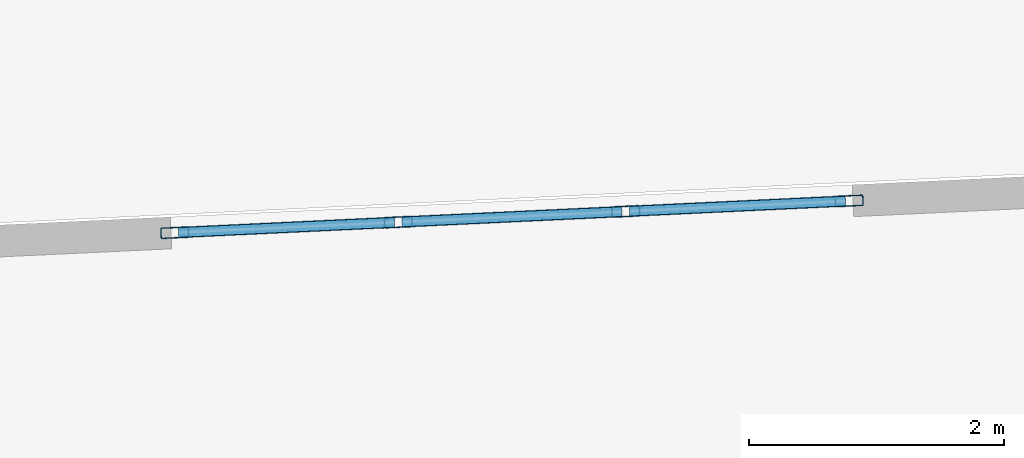
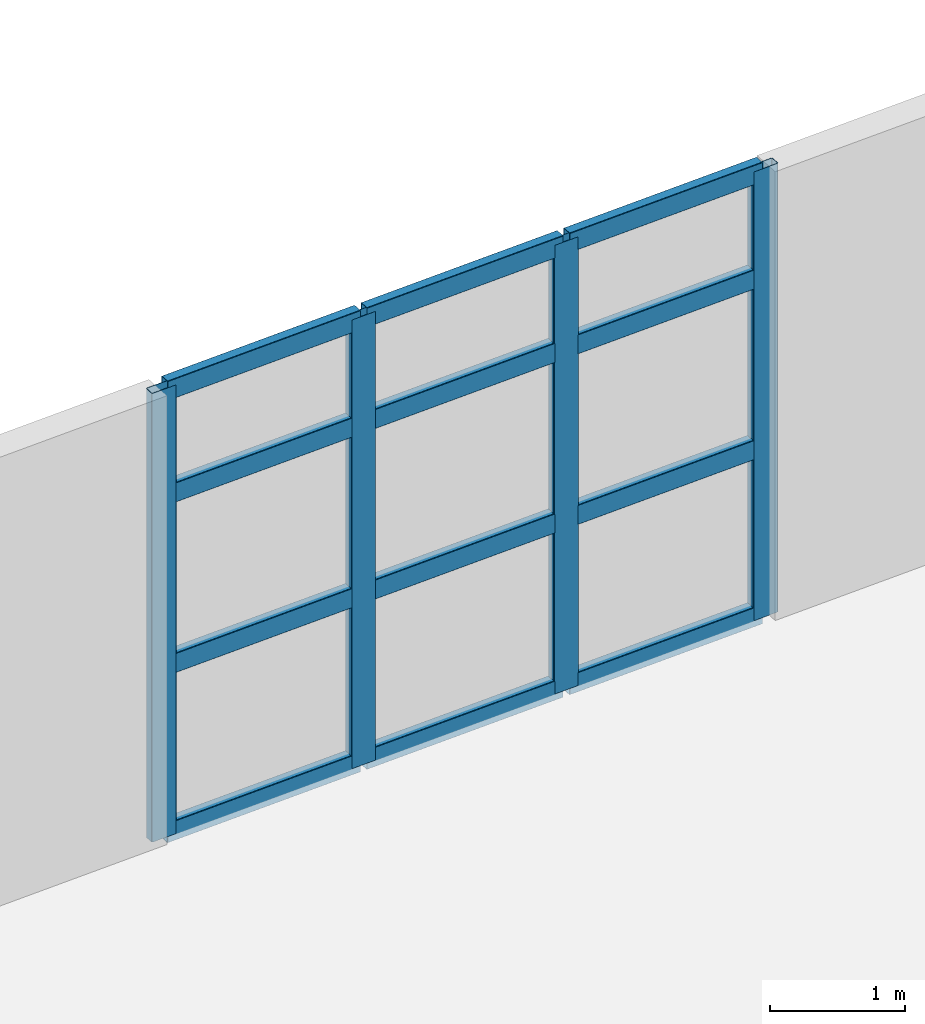
# One storey, part 9 of 22: 16 members, 1 element without a shape of its own.
"""IFC4 building model written with IfcOpenShell, lengths in metres."""

from ifc_helpers import new_model, si_unit, direction, frame, origin, origin_2d, place, context, subcontext, project, spatial, hollow_rectangle, extrude, material, layer, layer_set, material_profile, profile_set, type_object, element, aggregate, save


model = new_model("IFC4")

# Units and contexts
model_context = context("Model", 3, precision=1e-05, world=origin(), true_north=direction((0.0, 1.0)))
body_context = subcontext(model_context, "Body", "Model", "MODEL_VIEW")
ifc_project = project(units=[si_unit("LENGTHUNIT", "METRE"), si_unit("AREAUNIT", "SQUARE_METRE"), si_unit("VOLUMEUNIT", "CUBIC_METRE"), si_unit("PLANEANGLEUNIT", "RADIAN"), si_unit("MASSUNIT", "GRAM", prefix="KILO")], contexts=[model_context])

# Site, building, storey
site_placement = place(None, origin())
site = spatial("IfcSite", under=ifc_project, at=site_placement, CompositionType="ELEMENT")
building_placement = place(site_placement, origin())
building = spatial("IfcBuilding", under=site, at=building_placement, Name="Qingluan Cross Belvedere", CompositionType="ELEMENT")
storey_placement = place(building_placement, frame((0.0, 0.0, 294.0)))
storey = spatial("IfcBuildingStorey", under=building, at=storey_placement, Name="L73", CompositionType="ELEMENT", Elevation=294.0)

# Curtain wall, members
ifc_material_1 = material(Name="Thermally broken aluminium and Low-E glass", Category="aluminium")
ifc_layer = layer(ifc_material_1, 0.179931640625, Name="ObservationCW_DamperGallery")
ifc_layer_set = layer_set([ifc_layer], Name="Thermally broken aluminium and Low-E glass")
curtain_wall_type = type_object("IfcCurtainWallType", Name="ObservationCW_DamperGallery", PredefinedType="USERDEFINED", material=ifc_layer_set)
curtain_wall_placement = place(storey_placement, origin())
curtain_wall = element("IfcCurtainWall", 1, at=curtain_wall_placement, inside=storey, type_object=curtain_wall_type, Name="ObservationCW_DamperGallery run env:cw:L73:N", ObjectType="OBSERVATION GLAZING WALL", PredefinedType="USERDEFINED")
ifc_material_2 = material(Name="Aluminium alloy 6063-T6", Category="aluminium")
ifc_material_profile_1 = material_profile(ifc_material_2, hollow_rectangle(XDim=0.0849609375, YDim=0.219970703125, WallThickness=0.0048828125, InnerFilletRadius=0.0048828125, OuterFilletRadius=0.010009765625, at=origin_2d()), Name="CWM220x85x5")
ifc_profile_set_1 = profile_set([ifc_material_profile_1], Name="Aluminium alloy 6063-T6")
member_type_1 = type_object("IfcMemberType", Name="CWMullion_220", PredefinedType="MULLION", material=ifc_profile_set_1)
member_1_placement = place(storey_placement, frame((1.345947265625, 27.674072265625, 0.0), z_axis=(0.0, 0.0, 1.0), x_axis=(0.047125155464, -0.998888992693, 0.0)))
member_1 = element("IfcMember", 2, at=member_1_placement, type_object=member_type_1, Name="CW-C1 mullion 1", PredefinedType="MULLION", context=body_context, shape_type="SweptSolid", body=[
    extrude(hollow_rectangle(XDim=0.0849609375, YDim=0.219970703125, WallThickness=0.0048828125, InnerFilletRadius=0.0048828125, OuterFilletRadius=0.010009765625, at=origin_2d()), origin(), (0.0, 0.0, 1.0), 4.06005859375),
])
member_2_placement = place(storey_placement, frame((-0.407470703125, 27.591552734375, 0.0), z_axis=(0.0, 0.0, 1.0), x_axis=(0.047125155464, -0.998888992693, 0.0)))
member_2 = element("IfcMember", 3, at=member_2_placement, type_object=member_type_1, Name="CW-C1 mullion 2", PredefinedType="MULLION", context=body_context, shape_type="SweptSolid", body=[
    extrude(hollow_rectangle(XDim=0.0849609375, YDim=0.219970703125, WallThickness=0.0048828125, InnerFilletRadius=0.0048828125, OuterFilletRadius=0.010009765625, at=origin_2d()), origin(), (0.0, 0.0, 1.0), 4.06005859375),
])
member_3_placement = place(storey_placement, frame((-2.19091796875, 27.50732421875, 0.0), z_axis=(0.0, 0.0, 1.0), x_axis=(0.047125155464, -0.998888992693, 0.0)))
member_3 = element("IfcMember", 4, at=member_3_placement, type_object=member_type_1, Name="CW-C1 mullion 3", PredefinedType="MULLION", context=body_context, shape_type="SweptSolid", body=[
    extrude(hollow_rectangle(XDim=0.0849609375, YDim=0.219970703125, WallThickness=0.0048828125, InnerFilletRadius=0.0048828125, OuterFilletRadius=0.010009765625, at=origin_2d()), origin(), (0.0, 0.0, 1.0), 4.06005859375),
])
member_4_placement = place(storey_placement, frame((-3.9443359375, 27.424560546875, 0.0), z_axis=(0.0, 0.0, 1.0), x_axis=(0.047125155464, -0.998888992693, 0.0)))
member_4 = element("IfcMember", 5, at=member_4_placement, type_object=member_type_1, Name="CW-C1 mullion 4", PredefinedType="MULLION", context=body_context, shape_type="SweptSolid", body=[
    extrude(hollow_rectangle(XDim=0.0849609375, YDim=0.219970703125, WallThickness=0.0048828125, InnerFilletRadius=0.0048828125, OuterFilletRadius=0.010009765625, at=origin_2d()), origin(), (0.0, 0.0, 1.0), 4.06005859375),
])
ifc_material_3 = material(Name="Aluminium alloy 6063-T6", Category="aluminium")
ifc_material_profile_2 = material_profile(ifc_material_3, hollow_rectangle(XDim=0.0849609375, YDim=0.179931640625, WallThickness=0.00390625, InnerFilletRadius=0.00390625, OuterFilletRadius=0.008056640625, at=origin_2d()), Name="CWT180x85x4")
ifc_profile_set_2 = profile_set([ifc_material_profile_2], Name="Aluminium alloy 6063-T6")
member_type_2 = type_object("IfcMemberType", Name="CWTransom_180", PredefinedType="USERDEFINED", material=ifc_profile_set_2)
member_5_placement = place(storey_placement, frame((1.31591796875, 27.6728515625, 0.030029296875), z_axis=(-0.998884044571, -0.047229921669, 0.0), x_axis=(0.047229921669, -0.998884044571, 0.0)))
member_5 = element("IfcMember", 6, at=member_5_placement, type_object=member_type_2, Name="CW-C1 transom 1.1", ObjectType="TRANSOM", PredefinedType="USERDEFINED", context=body_context, shape_type="SweptSolid", body=[
    extrude(hollow_rectangle(XDim=0.0849609375, YDim=0.179931640625, WallThickness=0.00390625, InnerFilletRadius=0.00390625, OuterFilletRadius=0.008056640625, at=origin_2d()), origin(), (0.0, 0.0, 1.0), 1.695556640625),
])
member_6_placement = place(storey_placement, frame((1.31591796875, 27.6728515625, 1.54296875), z_axis=(-0.998884044571, -0.047229921669, 0.0), x_axis=(0.047229921669, -0.998884044571, 0.0)))
member_6 = element("IfcMember", 7, at=member_6_placement, type_object=member_type_2, Name="CW-C1 transom 1.2", ObjectType="TRANSOM", PredefinedType="USERDEFINED", context=body_context, shape_type="SweptSolid", body=[
    extrude(hollow_rectangle(XDim=0.0849609375, YDim=0.179931640625, WallThickness=0.00390625, InnerFilletRadius=0.00390625, OuterFilletRadius=0.008056640625, at=origin_2d()), origin(), (0.0, 0.0, 1.0), 1.695556640625),
])
member_7_placement = place(storey_placement, frame((1.31591796875, 27.6728515625, 3.0859375), z_axis=(-0.998884044571, -0.047229921669, 0.0), x_axis=(0.047229921669, -0.998884044571, 0.0)))
member_7 = element("IfcMember", 8, at=member_7_placement, type_object=member_type_2, Name="CW-C1 transom 1.3", ObjectType="TRANSOM", PredefinedType="USERDEFINED", context=body_context, shape_type="SweptSolid", body=[
    extrude(hollow_rectangle(XDim=0.0849609375, YDim=0.179931640625, WallThickness=0.00390625, InnerFilletRadius=0.00390625, OuterFilletRadius=0.008056640625, at=origin_2d()), origin(), (0.0, 0.0, 1.0), 1.695556640625),
])
member_8_placement = place(storey_placement, frame((1.31591796875, 27.6728515625, 4.030029296875), z_axis=(-0.998884044571, -0.047229921669, 0.0), x_axis=(0.047229921669, -0.998884044571, 0.0)))
member_8 = element("IfcMember", 9, at=member_8_placement, type_object=member_type_2, Name="CW-C1 transom 1.4", ObjectType="TRANSOM", PredefinedType="USERDEFINED", context=body_context, shape_type="SweptSolid", body=[
    extrude(hollow_rectangle(XDim=0.0849609375, YDim=0.179931640625, WallThickness=0.00390625, InnerFilletRadius=0.00390625, OuterFilletRadius=0.008056640625, at=origin_2d()), origin(), (0.0, 0.0, 1.0), 1.695556640625),
])
member_9_placement = place(storey_placement, frame((-0.4375, 27.590087890625, 0.030029296875), z_axis=(-0.998889168986, -0.047121418511, 0.0), x_axis=(0.047121418511, -0.998889168986, 0.0)))
member_9 = element("IfcMember", 10, at=member_9_placement, type_object=member_type_2, Name="CW-C1 transom 2.1", ObjectType="TRANSOM", PredefinedType="USERDEFINED", context=body_context, shape_type="SweptSolid", body=[
    extrude(hollow_rectangle(XDim=0.0849609375, YDim=0.179931640625, WallThickness=0.00390625, InnerFilletRadius=0.00390625, OuterFilletRadius=0.008056640625, at=origin_2d()), origin(), (0.0, 0.0, 1.0), 1.725341796875),
])
member_10_placement = place(storey_placement, frame((-0.4375, 27.590087890625, 1.54296875), z_axis=(-0.998889168986, -0.047121418511, 0.0), x_axis=(0.047121418511, -0.998889168986, 0.0)))
member_10 = element("IfcMember", 11, at=member_10_placement, type_object=member_type_2, Name="CW-C1 transom 2.2", ObjectType="TRANSOM", PredefinedType="USERDEFINED", context=body_context, shape_type="SweptSolid", body=[
    extrude(hollow_rectangle(XDim=0.0849609375, YDim=0.179931640625, WallThickness=0.00390625, InnerFilletRadius=0.00390625, OuterFilletRadius=0.008056640625, at=origin_2d()), origin(), (0.0, 0.0, 1.0), 1.725341796875),
])
member_11_placement = place(storey_placement, frame((-0.4375, 27.590087890625, 3.0859375), z_axis=(-0.998889168986, -0.047121418511, 0.0), x_axis=(0.047121418511, -0.998889168986, 0.0)))
member_11 = element("IfcMember", 12, at=member_11_placement, type_object=member_type_2, Name="CW-C1 transom 2.3", ObjectType="TRANSOM", PredefinedType="USERDEFINED", context=body_context, shape_type="SweptSolid", body=[
    extrude(hollow_rectangle(XDim=0.0849609375, YDim=0.179931640625, WallThickness=0.00390625, InnerFilletRadius=0.00390625, OuterFilletRadius=0.008056640625, at=origin_2d()), origin(), (0.0, 0.0, 1.0), 1.725341796875),
])
member_12_placement = place(storey_placement, frame((-0.4375, 27.590087890625, 4.030029296875), z_axis=(-0.998889168986, -0.047121418511, 0.0), x_axis=(0.047121418511, -0.998889168986, 0.0)))
member_12 = element("IfcMember", 13, at=member_12_placement, type_object=member_type_2, Name="CW-C1 transom 2.4", ObjectType="TRANSOM", PredefinedType="USERDEFINED", context=body_context, shape_type="SweptSolid", body=[
    extrude(hollow_rectangle(XDim=0.0849609375, YDim=0.179931640625, WallThickness=0.00390625, InnerFilletRadius=0.00390625, OuterFilletRadius=0.008056640625, at=origin_2d()), origin(), (0.0, 0.0, 1.0), 1.725341796875),
])
member_13_placement = place(storey_placement, frame((-2.220947265625, 27.505859375, 0.030029296875), z_axis=(-0.998890508183, -0.047093021363, 0.0), x_axis=(0.047093021363, -0.998890508183, 0.0)))
member_13 = element("IfcMember", 14, at=member_13_placement, type_object=member_type_2, Name="CW-C1 transom 3.1", ObjectType="TRANSOM", PredefinedType="USERDEFINED", context=body_context, shape_type="SweptSolid", body=[
    extrude(hollow_rectangle(XDim=0.0849609375, YDim=0.179931640625, WallThickness=0.00390625, InnerFilletRadius=0.00390625, OuterFilletRadius=0.008056640625, at=origin_2d()), origin(), (0.0, 0.0, 1.0), 1.6953125),
])
member_14_placement = place(storey_placement, frame((-2.220947265625, 27.505859375, 1.54296875), z_axis=(-0.998890508183, -0.047093021363, 0.0), x_axis=(0.047093021363, -0.998890508183, 0.0)))
member_14 = element("IfcMember", 15, at=member_14_placement, type_object=member_type_2, Name="CW-C1 transom 3.2", ObjectType="TRANSOM", PredefinedType="USERDEFINED", context=body_context, shape_type="SweptSolid", body=[
    extrude(hollow_rectangle(XDim=0.0849609375, YDim=0.179931640625, WallThickness=0.00390625, InnerFilletRadius=0.00390625, OuterFilletRadius=0.008056640625, at=origin_2d()), origin(), (0.0, 0.0, 1.0), 1.6953125),
])
member_15_placement = place(storey_placement, frame((-2.220947265625, 27.505859375, 3.0859375), z_axis=(-0.998890508183, -0.047093021363, 0.0), x_axis=(0.047093021363, -0.998890508183, 0.0)))
member_15 = element("IfcMember", 16, at=member_15_placement, type_object=member_type_2, Name="CW-C1 transom 3.3", ObjectType="TRANSOM", PredefinedType="USERDEFINED", context=body_context, shape_type="SweptSolid", body=[
    extrude(hollow_rectangle(XDim=0.0849609375, YDim=0.179931640625, WallThickness=0.00390625, InnerFilletRadius=0.00390625, OuterFilletRadius=0.008056640625, at=origin_2d()), origin(), (0.0, 0.0, 1.0), 1.6953125),
])
member_16_placement = place(storey_placement, frame((-2.220947265625, 27.505859375, 4.030029296875), z_axis=(-0.998890508183, -0.047093021363, 0.0), x_axis=(0.047093021363, -0.998890508183, 0.0)))
member_16 = element("IfcMember", 17, at=member_16_placement, type_object=member_type_2, Name="CW-C1 transom 3.4", ObjectType="TRANSOM", PredefinedType="USERDEFINED", context=body_context, shape_type="SweptSolid", body=[
    extrude(hollow_rectangle(XDim=0.0849609375, YDim=0.179931640625, WallThickness=0.00390625, InnerFilletRadius=0.00390625, OuterFilletRadius=0.008056640625, at=origin_2d()), origin(), (0.0, 0.0, 1.0), 1.6953125),
])
aggregate(curtain_wall, [member_1, member_2, member_3, member_4, member_5, member_6, member_7, member_8, member_9, member_10, member_11, member_12, member_13, member_14, member_15, member_16])

save(model, "model.ifc")
